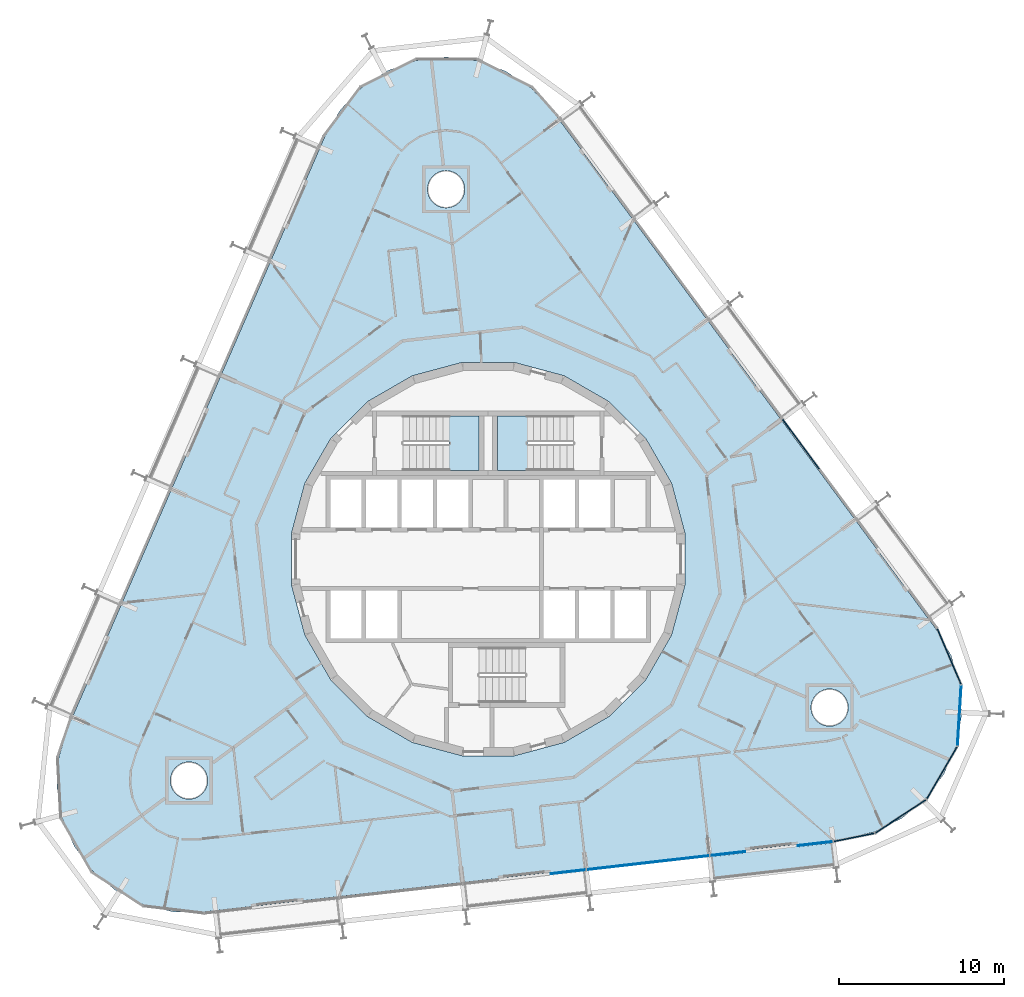
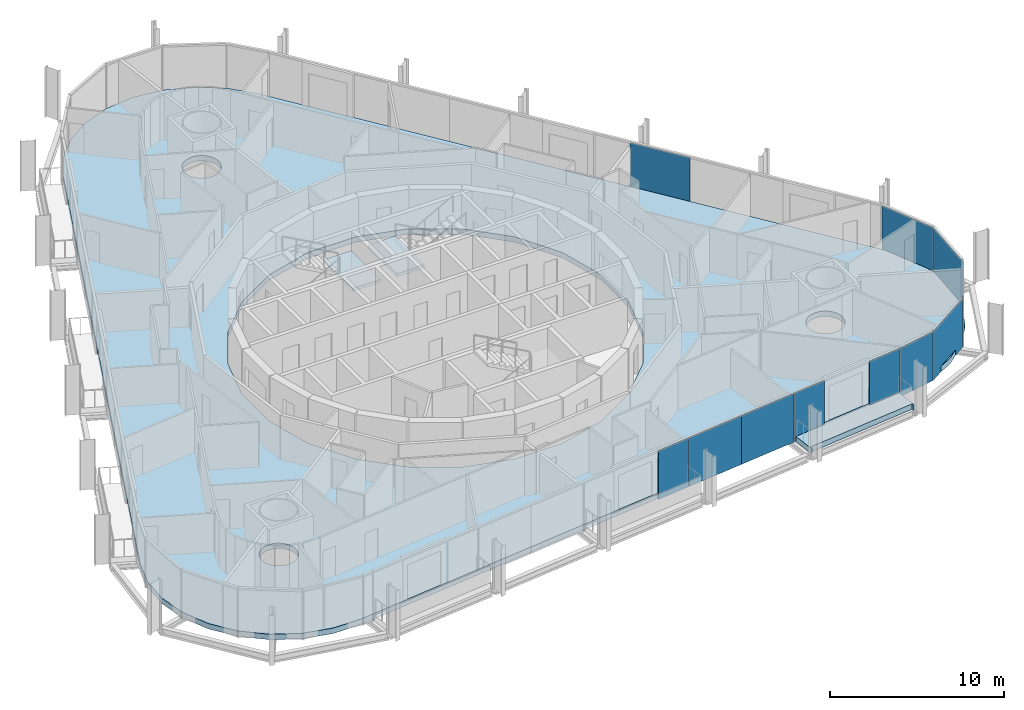
# One storey, part 14 of 24: 11 plates, 4 slabs, 5 elements without a shape of their own.
"""IFC4 building model written with IfcOpenShell, lengths in metres."""

from ifc_helpers import new_model, si_unit, direction, frame, origin, origin_2d, place, context, subcontext, project, spatial, polyline, rectangle, outline, extrude, material, layer, layer_set, type_object, element, aggregate, save


model = new_model("IFC4")

# Units and contexts
model_context = context("Model", 3, precision=1e-05, world=origin(), true_north=direction((0.0, 1.0)))
body_context = subcontext(model_context, "Body", "Model", "MODEL_VIEW")
ifc_project = project(units=[si_unit("LENGTHUNIT", "METRE"), si_unit("AREAUNIT", "SQUARE_METRE"), si_unit("VOLUMEUNIT", "CUBIC_METRE"), si_unit("PLANEANGLEUNIT", "RADIAN"), si_unit("MASSUNIT", "GRAM", prefix="KILO")], contexts=[model_context])

# Site, building, storey
site_placement = place(None, origin())
site = spatial("IfcSite", under=ifc_project, at=site_placement, CompositionType="ELEMENT")
building_placement = place(site_placement, origin())
building = spatial("IfcBuilding", under=site, at=building_placement, Name="Spindle Arch Residences", CompositionType="ELEMENT")
storey_placement = place(building_placement, frame((0.0, 0.0, 94.199951171875)))
storey = spatial("IfcBuildingStorey", under=building, at=storey_placement, Name="L22", CompositionType="ELEMENT", Elevation=94.199951171875)

# Slab
ifc_material_1 = material(Name="Concrete C40/50", Category="concrete")
ifc_layer_1 = layer(ifc_material_1, 0.3798828125)
ifc_layer_set_1 = layer_set([ifc_layer_1], Name="Balcony slab 380")
slab_type_1 = type_object("IfcSlabType", Name="Balcony slab 380", PredefinedType="FLOOR", material=ifc_layer_set_1)
slab_1_placement = place(storey_placement, frame((0.0, 0.0, -0.3798828125)))
element("IfcSlab", 1, at=slab_1_placement, inside=storey, type_object=slab_type_1, Name="Balcony L22 bay 2", PredefinedType="FLOOR", context=body_context, shape_type="SweptSolid", body=[
    extrude(outline(polyline([(13.64697265625, -19.48779296875), (13.7216796875, -19.4794921875), (13.70458984375, -19.330322265625), (20.876953125, -18.51318359375), (20.89404296875, -18.662109375), (20.968505859375, -18.65380859375), (20.7998046875, -17.17333984375), (18.728759765625, -17.4091796875), (18.710693359375, -17.250244140625), (15.53125, -17.612548828125), (15.54931640625, -17.771484375), (13.478271484375, -18.007568359375), (13.64697265625, -19.48779296875)])), origin(), (0.0, 0.0, 1.0), 0.3798828125),
])

# Stair, slab
ifc_material_2 = material(Name="Concrete C50/60", Category="concrete")
stair_type = type_object("IfcStairType", Name="Exit stair 16 risers", PredefinedType="HALF_TURN_STAIR", material=ifc_material_2)
stair_1_placement = place(storey_placement, origin())
stair_1 = element("IfcStair", 2, at=stair_1_placement, inside=storey, type_object=stair_type, Name="L22 Exit stair ST1", PredefinedType="HALF_TURN_STAIR")
ifc_material_3 = material(Name="Concrete C50/60", Category="concrete")
ifc_layer_2 = layer(ifc_material_3, 0.219970703125)
ifc_layer_set_2 = layer_set([ifc_layer_2], Name="Exit stair landing 220")
slab_type_2 = type_object("IfcSlabType", Name="Exit stair landing 220", PredefinedType="LANDING", material=ifc_layer_set_2)
slab_2_placement = place(storey_placement, frame((0.0, 0.0, 1.530029296875)))
slab_2 = element("IfcSlab", 3, at=slab_2_placement, type_object=slab_type_2, Name="ST1 landing 1", PredefinedType="LANDING", context=body_context, shape_type="SweptSolid", body=[
    extrude(outline(polyline([(2.3701171875, 8.669921875), (0.550048828125, 8.669921875), (0.550048828125, 5.35009765625), (2.3701171875, 5.35009765625), (2.3701171875, 8.669921875)])), origin(), (0.0, 0.0, 1.0), 0.219970703125),
])
aggregate(stair_1, [slab_2])

stair_2_placement = place(storey_placement, origin())
stair_2 = element("IfcStair", 4, at=stair_2_placement, inside=storey, type_object=stair_type, Name="L22 Exit stair ST2", PredefinedType="HALF_TURN_STAIR")
slab_3_placement = place(storey_placement, frame((0.0, 0.0, 1.530029296875)))
slab_3 = element("IfcSlab", 5, at=slab_3_placement, type_object=slab_type_2, Name="ST2 landing 1", PredefinedType="LANDING", context=body_context, shape_type="SweptSolid", body=[
    extrude(outline(polyline([(-2.3701171875, 5.35009765625), (-0.550048828125, 5.35009765625), (-0.550048828125, 8.669921875), (-2.3701171875, 8.669921875), (-2.3701171875, 5.35009765625)])), origin(), (0.0, 0.0, 1.0), 0.219970703125),
])
aggregate(stair_2, [slab_3])

# Slab
ifc_material_4 = material(Name="Concrete C40/50", Category="concrete")
ifc_layer_3 = layer(ifc_material_4, 0.3798828125)
ifc_layer_set_3 = layer_set([ifc_layer_3], Name="Floor slab 380")
slab_type_3 = type_object("IfcSlabType", Name="Floor slab 380", PredefinedType="FLOOR", material=ifc_layer_set_3)
slab_4_placement = place(storey_placement, frame((0.0, 0.0, -0.3798828125)))
element("IfcSlab", 6, at=slab_4_placement, inside=storey, type_object=slab_type_3, Name="Floor slab L22", PredefinedType="FLOOR", context=body_context, shape_type="SweptSolid", body=[
    extrude(outline(polyline([(-19.05078125, -21.335693359375), (-20.85693359375, -20.902099609375), (-22.514404296875, -20.0634765625), (-23.933837890625, -18.865478515625), (-25.038818359375, -17.372314453125), (-25.769287109375, -15.66455078125), (-26.086669921875, -13.83447265625), (-25.973388671875, -11.98046875), (-25.435302734375, -10.202392578125), (-9.88525390625, 25.560302734375), (-8.951904296875, 27.166259765625), (-7.673095703125, 28.513671875), (-6.118408203125, 29.52978515625), (-4.37109375, 30.159912109375), (-2.525390625, 30.370361328125), (-0.68115234375, 30.1494140625), (1.0625, 29.5087890625), (2.611328125, 28.483642578125), (3.882080078125, 27.12890625), (27.07861328125, -4.21923828125), (28.002685546875, -5.83056640625), (28.530029296875, -7.611572265625), (28.6328125, -9.46630859375), (28.304931640625, -11.294677734375), (27.564208984375, -12.998046875), (26.45068359375, -14.484619140625), (25.0244140625, -15.674560546875), (23.36181640625, -16.50341796875), (21.55322265625, -16.926513671875), (2.179931640625, -19.1337890625), (-17.193115234375, -21.341064453125), (-19.05078125, -21.335693359375)]), holes=[polyline([(7.30517578125, -9.520263671875), (9.520263671875, -7.30517578125), (11.086669921875, -4.59228515625), (11.897216796875, -1.56640625), (11.897216796875, 1.56640625), (11.086669921875, 4.59228515625), (9.520263671875, 7.30517578125), (7.30517578125, 9.520263671875), (4.59228515625, 11.086669921875), (1.56640625, 11.897216796875), (-1.56640625, 11.897216796875), (-4.59228515625, 11.086669921875), (-7.30517578125, 9.520263671875), (-9.520263671875, 7.30517578125), (-11.086669921875, 4.59228515625), (-11.897216796875, 1.56640625), (-11.897216796875, -1.56640625), (-11.086669921875, -4.59228515625), (-9.520263671875, -7.30517578125), (-7.30517578125, -9.520263671875), (-4.59228515625, -11.086669921875), (-1.56640625, -11.897216796875), (1.56640625, -11.897216796875), (4.59228515625, -11.086669921875), (7.30517578125, -9.520263671875)]), polyline([(-17.303466796875, -14.18798828125), (-17.16357421875, -14.017578125), (-17.0595703125, -13.822998046875), (-16.99560546875, -13.612060546875), (-16.973876953125, -13.392578125), (-16.99560546875, -13.173095703125), (-17.0595703125, -12.9619140625), (-17.16357421875, -12.767578125), (-17.303466796875, -12.596923828125), (-17.473876953125, -12.45703125), (-17.66845703125, -12.35302734375), (-17.87939453125, -12.2890625), (-18.098876953125, -12.267578125), (-18.318359375, -12.2890625), (-18.529296875, -12.35302734375), (-18.723876953125, -12.45703125), (-18.894287109375, -12.596923828125), (-19.0341796875, -12.767578125), (-19.13818359375, -12.9619140625), (-19.202392578125, -13.173095703125), (-19.223876953125, -13.392578125), (-19.202392578125, -13.612060546875), (-19.13818359375, -13.822998046875), (-19.0341796875, -14.017578125), (-18.894287109375, -14.18798828125), (-18.723876953125, -14.327880859375), (-18.529296875, -14.431884765625), (-18.318359375, -14.495849609375), (-18.098876953125, -14.517578125), (-17.87939453125, -14.495849609375), (-17.66845703125, -14.431884765625), (-17.473876953125, -14.327880859375), (-17.303466796875, -14.18798828125)]), polyline([(-1.75341796875, 21.57470703125), (-1.61328125, 21.745361328125), (-1.509521484375, 21.939697265625), (-1.4453125, 22.15087890625), (-1.423828125, 22.370361328125), (-1.4453125, 22.58984375), (-1.509521484375, 22.80078125), (-1.61328125, 22.995361328125), (-1.75341796875, 23.165771484375), (-1.923828125, 23.3056640625), (-2.118408203125, 23.40966796875), (-2.329345703125, 23.4736328125), (-2.548828125, 23.495361328125), (-2.768310546875, 23.4736328125), (-2.979248046875, 23.40966796875), (-3.173828125, 23.3056640625), (-3.34423828125, 23.165771484375), (-3.484130859375, 22.995361328125), (-3.588134765625, 22.80078125), (-3.652099609375, 22.58984375), (-3.673828125, 22.370361328125), (-3.652099609375, 22.15087890625), (-3.588134765625, 21.939697265625), (-3.484130859375, 21.745361328125), (-3.34423828125, 21.57470703125), (-3.173828125, 21.434814453125), (-2.979248046875, 21.330810546875), (-2.768310546875, 21.266845703125), (-2.548828125, 21.245361328125), (-2.329345703125, 21.266845703125), (-2.118408203125, 21.330810546875), (-1.923828125, 21.434814453125), (-1.75341796875, 21.57470703125)]), polyline([(21.443115234375, -9.773193359375), (21.5830078125, -9.602783203125), (21.68701171875, -9.408203125), (21.7509765625, -9.197265625), (21.772705078125, -8.977783203125), (21.7509765625, -8.75830078125), (21.68701171875, -8.54736328125), (21.5830078125, -8.352783203125), (21.443115234375, -8.182373046875), (21.272705078125, -8.04248046875), (21.078125, -7.9384765625), (20.8671875, -7.87451171875), (20.647705078125, -7.852783203125), (20.427978515625, -7.87451171875), (20.217041015625, -7.9384765625), (20.022705078125, -8.04248046875), (19.85205078125, -8.182373046875), (19.712158203125, -8.352783203125), (19.608154296875, -8.54736328125), (19.544189453125, -8.75830078125), (19.522705078125, -8.977783203125), (19.544189453125, -9.197265625), (19.608154296875, -9.408203125), (19.712158203125, -9.602783203125), (19.85205078125, -9.773193359375), (20.022705078125, -9.9130859375), (20.217041015625, -10.01708984375), (20.427978515625, -10.081298828125), (20.647705078125, -10.102783203125), (20.8671875, -10.081298828125), (21.078125, -10.01708984375), (21.272705078125, -9.9130859375), (21.443115234375, -9.773193359375)])]), origin(), (0.0, 0.0, 1.0), 0.3798828125),
])

# Curtain wall, plates
ifc_material_5 = material(Name="Aluminium bronze unitised frame with tinted glass", Category="aluminium")
ifc_layer_4 = layer(ifc_material_5, 0.159912109375)
ifc_layer_set_4 = layer_set([ifc_layer_4], Name="CW-D corner wall on the fillet arcs")
curtain_wall_type_1 = type_object("IfcCurtainWallType", Name="CW-D corner wall on the fillet arcs", PredefinedType="NOTDEFINED", material=ifc_layer_set_4)
curtain_wall_1_placement = place(storey_placement, origin())
curtain_wall_1 = element("IfcCurtainWall", 7, at=curtain_wall_1_placement, inside=storey, type_object=curtain_wall_type_1, Name="CW-D L22 run 1", PredefinedType="NOTDEFINED")
ifc_material_6 = material(Name="Tinted double glazing over aluminium faced non-combustible spandrel zone (K0)", Category="aluminium")
ifc_layer_5 = layer(ifc_material_6, 0.06005859375)
ifc_layer_set_5 = layer_set([ifc_layer_5], Name="Unitised glass panel with E 60 spandrel zone")
plate_type = type_object("IfcPlateType", Name="Unitised glass panel with E 60 spandrel zone", PredefinedType="CURTAIN_PANEL", material=ifc_layer_set_5)
plate_1_placement = place(storey_placement, frame((22.127197265625, -16.83203125, -0.3798828125), z_axis=(0.0, 0.0, 1.0), x_axis=(0.980430998553, 0.196863041416, 0.0)))
plate_1 = element("IfcPlate", 8, at=plate_1_placement, type_object=plate_type, Name="CW-D unit 00", PredefinedType="CURTAIN_PANEL", context=body_context, shape_type="SweptSolid", body=[
    extrude(rectangle(XDim=2.51416015625, YDim=0.06005859375, at=origin_2d()), origin(), (0.0, 0.0, 1.0), 3.3798828125),
])
plate_2_placement = place(storey_placement, frame((24.948974609375, -15.55908203125, -0.3798828125), z_axis=(0.0, 0.0, 1.0), x_axis=(0.83708272954, 0.547076323657, 0.0)))
plate_2 = element("IfcPlate", 9, at=plate_2_placement, type_object=plate_type, Name="CW-D unit 01", PredefinedType="CURTAIN_PANEL", context=body_context, shape_type="SweptSolid", body=[
    extrude(rectangle(XDim=3.666748046875, YDim=0.06005859375, at=origin_2d()), origin(), (0.0, 0.0, 1.0), 3.3798828125),
])
plate_3_placement = place(storey_placement, frame((27.445068359375, -12.9287109375, -0.3798828125), z_axis=(0.0, 0.0, 1.0), x_axis=(0.502517045345, 0.864567301682, 0.0)))
plate_3 = element("IfcPlate", 10, at=plate_3_placement, type_object=plate_type, Name="CW-D unit 02", PredefinedType="CURTAIN_PANEL", context=body_context, shape_type="SweptSolid", body=[
    extrude(rectangle(XDim=3.666748046875, YDim=0.06005859375, at=origin_2d()), origin(), (0.0, 0.0, 1.0), 3.3798828125),
])
plate_4_placement = place(storey_placement, frame((28.4951171875, -9.457763671875, -0.3798828125), z_axis=(0.0, 0.0, 1.0), x_axis=(0.06104853612, 0.998134798631, 0.0)))
plate_4 = element("IfcPlate", 11, at=plate_4_placement, type_object=plate_type, Name="CW-D unit 03", PredefinedType="CURTAIN_PANEL", context=body_context, shape_type="SweptSolid", body=[
    extrude(rectangle(XDim=3.666748046875, YDim=0.06005859375, at=origin_2d()), origin(), (0.0, 0.0, 1.0), 3.3798828125),
])
plate_5_placement = place(storey_placement, frame((27.8759765625, -5.884765625, -0.3798828125), z_axis=(0.0, 0.0, 1.0), x_axis=(-0.393407112882, 0.919364369298, 0.0)))
plate_5 = element("IfcPlate", 12, at=plate_5_placement, type_object=plate_type, Name="CW-D unit 04", PredefinedType="CURTAIN_PANEL", context=body_context, shape_type="SweptSolid", body=[
    extrude(rectangle(XDim=3.666748046875, YDim=0.06005859375, at=origin_2d()), origin(), (0.0, 0.0, 1.0), 3.3798828125),
])
aggregate(curtain_wall_1, [plate_1, plate_2, plate_3, plate_4, plate_5])

# Curtain wall, plate
ifc_material_7 = material(Name="Aluminium bronze unitised frame with tinted glass", Category="aluminium")
ifc_layer_6 = layer(ifc_material_7, 0.159912109375)
ifc_layer_set_6 = layer_set([ifc_layer_6], Name="CW-C typical residential unitised wall")
curtain_wall_type_2 = type_object("IfcCurtainWallType", Name="CW-C typical residential unitised wall", PredefinedType="NOTDEFINED", material=ifc_layer_set_6)
curtain_wall_2_placement = place(storey_placement, origin())
curtain_wall_2 = element("IfcCurtainWall", 13, at=curtain_wall_2_placement, inside=storey, type_object=curtain_wall_type_2, Name="CW-C L22 run 2", PredefinedType="NOTDEFINED")
plate_6_placement = place(storey_placement, frame((18.90771484375, 6.957275390625, -0.3798828125), z_axis=(0.0, 0.0, 1.0), x_axis=(-0.594822786751, 0.803856860617, 0.0)))
plate_6 = element("IfcPlate", 14, at=plate_6_placement, type_object=plate_type, Name="CW-C unit 06B", PredefinedType="CURTAIN_PANEL", context=body_context, shape_type="SweptSolid", body=[
    extrude(rectangle(XDim=3.7294921875, YDim=0.06005859375, at=origin_2d()), origin(), (0.0, 0.0, 1.0), 3.3798828125),
])
aggregate(curtain_wall_2, [plate_6])

# Curtain wall, plates
curtain_wall_3_placement = place(storey_placement, origin())
curtain_wall_3 = element("IfcCurtainWall", 15, at=curtain_wall_3_placement, inside=storey, type_object=curtain_wall_type_2, Name="CW-C L22 run 6", PredefinedType="NOTDEFINED")
plate_7_placement = place(storey_placement, frame((4.836669921875, -18.91162109375, -0.3798828125), z_axis=(0.0, 0.0, 1.0), x_axis=(0.993571855677, 0.113203213768, 0.0)))
plate_7 = element("IfcPlate", 16, at=plate_7_placement, type_object=plate_type, Name="CW-C unit 23R", PredefinedType="CURTAIN_PANEL", context=body_context, shape_type="SweptSolid", body=[
    extrude(rectangle(XDim=2.12939453125, YDim=0.06005859375, at=origin_2d()), origin(), (0.0, 0.0, 1.0), 3.3798828125),
])
plate_8_placement = place(storey_placement, frame((7.806884765625, -18.5732421875, -0.3798828125), z_axis=(0.0, 0.0, 1.0), x_axis=(0.993571855677, 0.113203213768, 0.0)))
plate_8 = element("IfcPlate", 17, at=plate_8_placement, type_object=plate_type, Name="CW-C unit 00A", PredefinedType="CURTAIN_PANEL", context=body_context, shape_type="SweptSolid", body=[
    extrude(rectangle(XDim=3.7294921875, YDim=0.06005859375, at=origin_2d()), origin(), (0.0, 0.0, 1.0), 3.3798828125),
])
plate_9_placement = place(storey_placement, frame((11.51220703125, -18.15087890625, -0.3798828125), z_axis=(0.0, 0.0, 1.0), x_axis=(0.993571855677, 0.113203213768, 0.0)))
plate_9 = element("IfcPlate", 18, at=plate_9_placement, type_object=plate_type, Name="CW-C unit 00B", PredefinedType="CURTAIN_PANEL", context=body_context, shape_type="SweptSolid", body=[
    extrude(rectangle(XDim=3.7294921875, YDim=0.06005859375, at=origin_2d()), origin(), (0.0, 0.0, 1.0), 3.3798828125),
])
plate_10_placement = place(storey_placement, frame((14.482421875, -17.8125, -0.3798828125), z_axis=(0.0, 0.0, 1.0), x_axis=(0.993571855677, 0.113203213768, 0.0)))
plate_10 = element("IfcPlate", 19, at=plate_10_placement, type_object=plate_type, Name="CW-C unit 01L", PredefinedType="CURTAIN_PANEL", context=body_context, shape_type="SweptSolid", body=[
    extrude(rectangle(XDim=2.12939453125, YDim=0.06005859375, at=origin_2d()), origin(), (0.0, 0.0, 1.0), 3.3798828125),
])
plate_11_placement = place(storey_placement, frame((19.777587890625, -17.209228515625, -0.3798828125), z_axis=(0.0, 0.0, 1.0), x_axis=(0.993571855677, 0.113203213768, 0.0)))
plate_11 = element("IfcPlate", 20, at=plate_11_placement, type_object=plate_type, Name="CW-C unit 01R", PredefinedType="CURTAIN_PANEL", context=body_context, shape_type="SweptSolid", body=[
    extrude(rectangle(XDim=2.12939453125, YDim=0.06005859375, at=origin_2d()), origin(), (0.0, 0.0, 1.0), 3.3798828125),
])
aggregate(curtain_wall_3, [plate_7, plate_8, plate_9, plate_10, plate_11])

save(model, "model.ifc")
